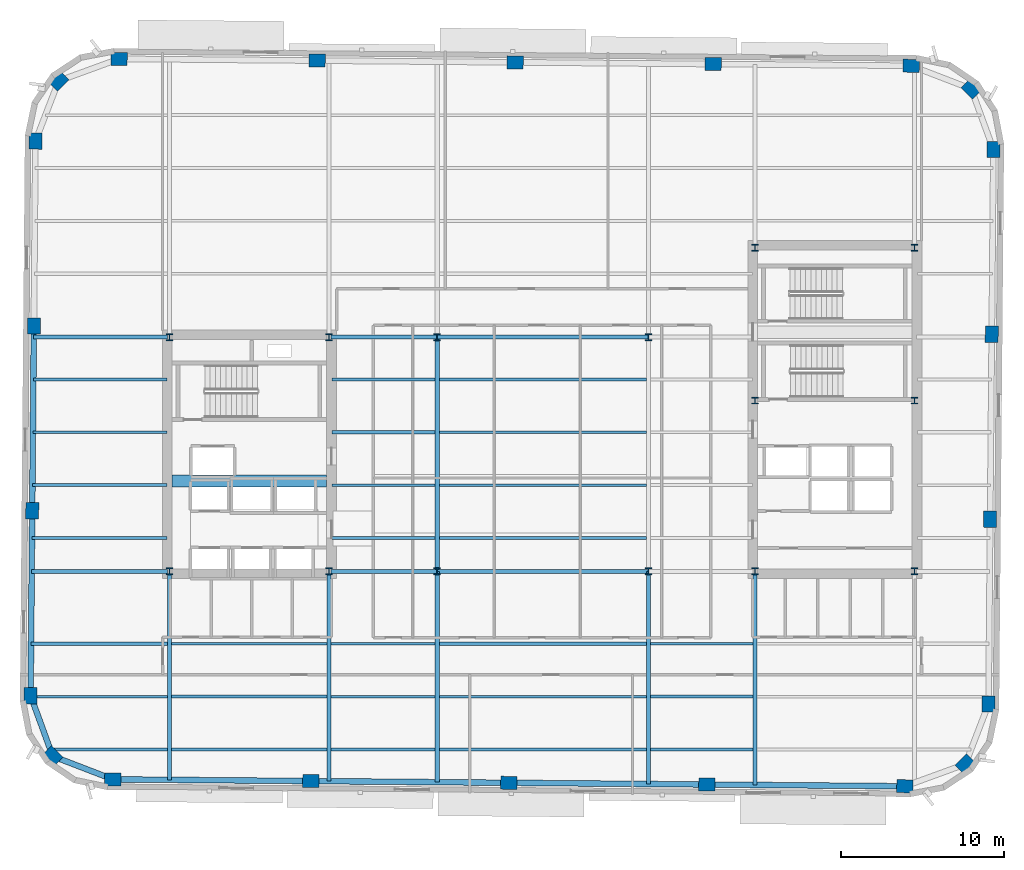
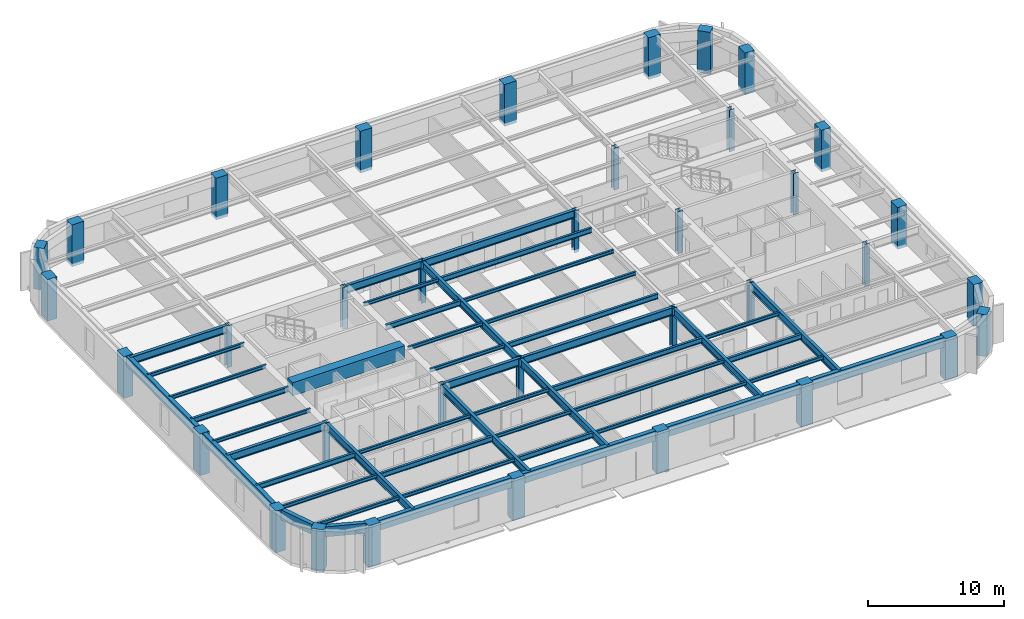
# One storey, part 1 of 12: 48 beams, 36 columns.
"""IFC4 building model written with IfcOpenShell, lengths in metres."""

import ifcopenshell
import ifcopenshell.guid

model = None  # the IFC model being written
_history = None  # IfcOwnerHistory: only IFC2X3 demands one
_inside = {}  # id of a spatial element -> (the spatial element, [elements in it])
_under = {}  # id of a project, library or spatial element -> (it, [spatial elements below it])
_declared = {}  # id of a project -> (the project, [libraries it declares])
_typed = {}  # id of a type object -> (the type object, [elements of that type])
_made_of = {}  # id of a material, layer set ... -> (it, [elements and type objects made of it])


def new_model(schema):
    """Start an empty IFC model of exactly this schema.

    Asked for "IFC4X3", IfcOpenShell would pick the latest addendum, in which some entities
    have other attributes; the version numbers below select the first issue.
    IFC2X3 requires an IfcOwnerHistory on every rooted entity: one is made here for all.
    """
    global model, _history
    if schema == "IFC4X3":
        model = ifcopenshell.file(schema_version=(4, 3, 0, 0))
    else:
        model = ifcopenshell.file(schema=schema)
    _inside.clear()
    _under.clear()
    _declared.clear()
    _typed.clear()
    _made_of.clear()
    _history = None
    if model.schema == "IFC2X3":
        org = make("IfcOrganization", Name="unknown")
        user = make(
            "IfcPersonAndOrganization",
            ThePerson=make("IfcPerson", FamilyName="unknown"),
            TheOrganization=org,
        )
        app = make(
            "IfcApplication",
            ApplicationDeveloper=org,
            Version="unknown",
            ApplicationFullName="unknown",
            ApplicationIdentifier="unknown",
        )
        _history = make(
            "IfcOwnerHistory",
            OwningUser=user,
            OwningApplication=app,
            ChangeAction="ADDED",
            CreationDate=0,
        )
    return model


def make(cls, **values):
    """One entity of the class cls with the attributes given. An attribute that is None is left unset."""
    return model.create_entity(
        cls, **{name: value for name, value in values.items() if value is not None}
    )


def rooted(cls, **values):
    """An entity with a GlobalId (a new one), such as an element, a storey or a relation."""
    return make(cls, GlobalId=ifcopenshell.guid.new(), OwnerHistory=_history, **values)


def si_unit(unit_type, name, prefix=None):
    """IfcSIUnit, for example si_unit("LENGTHUNIT", "METRE", prefix="MILLI")."""
    return make("IfcSIUnit", UnitType=unit_type, Prefix=prefix, Name=name)


def assignment(units):
    """IfcUnitAssignment: the units of a project."""
    return None if units is None else make("IfcUnitAssignment", Units=units)


def point(xyz):
    """IfcCartesianPoint."""
    return None if xyz is None else make("IfcCartesianPoint", Coordinates=xyz)


def direction(xyz):
    """IfcDirection."""
    return None if xyz is None else make("IfcDirection", DirectionRatios=xyz)


def frame(location, z_axis=None, x_axis=None):
    """IfcAxis2Placement3D, a coordinate frame: its origin and axes. An axis left out is left unset."""
    return make(
        "IfcAxis2Placement3D",
        Location=point(location),
        Axis=direction(z_axis),
        RefDirection=direction(x_axis),
    )


def frame_2d(location, x_axis=None):
    """IfcAxis2Placement2D, a coordinate frame in the plane: its origin and x axis."""
    return make(
        "IfcAxis2Placement2D", Location=point(location), RefDirection=direction(x_axis)
    )


def origin():
    """The frame at (0, 0, 0) with its axes left unset."""
    return frame((0.0, 0.0, 0.0))


def origin_2d():
    """The frame at (0, 0) in the plane with its x axis left unset."""
    return frame_2d((0.0, 0.0))


def place(relative_to, where):
    """IfcLocalPlacement: puts the frame where relative to a parent placement (None: the world)."""
    return make(
        "IfcLocalPlacement", PlacementRelTo=relative_to, RelativePlacement=where
    )


def context(
    kind, dimensions, precision=None, world=None, true_north=None, identifier=None
):
    """IfcGeometricRepresentationContext, for example the 3D "Model" context."""
    return make(
        "IfcGeometricRepresentationContext",
        ContextIdentifier=identifier,
        ContextType=kind,
        CoordinateSpaceDimension=dimensions,
        Precision=precision,
        WorldCoordinateSystem=world,
        TrueNorth=true_north,
    )


def subcontext(parent, identifier, kind, view, scale=None):
    """IfcGeometricRepresentationSubContext, for example "Body" below "Model"."""
    return make(
        "IfcGeometricRepresentationSubContext",
        ContextIdentifier=identifier,
        ContextType=kind,
        ParentContext=parent,
        TargetScale=scale,
        TargetView=view,
    )


def project(units=None, contexts=None):
    """IfcProject with its units and contexts."""
    return rooted(
        "IfcProject",
        Name="project",
        RepresentationContexts=contexts,
        UnitsInContext=assignment(units),
    )


def spatial(cls, under=None, at=None, **own):
    """A site, building, storey or space (cls), placed at a placement, below another one or the project."""
    s = rooted(cls, ObjectPlacement=at, **own)
    if under is not None:
        _under.setdefault(under.id(), (under, []))[1].append(s)
    return s


def profile(cls, at=None, kind="AREA", **sizes):
    """A parametric profile (cls). Its sizes go by their IFC names, for example OverallWidth=200.0."""
    return make(cls, ProfileType=kind, Position=at, **sizes)


def rectangle(**sizes):
    """IfcRectangleProfileDef."""
    return profile("IfcRectangleProfileDef", **sizes)


def hollow_rectangle(**sizes):
    """IfcRectangleHollowProfileDef."""
    return profile("IfcRectangleHollowProfileDef", **sizes)


def i_section(**sizes):
    """IfcIShapeProfileDef."""
    return profile("IfcIShapeProfileDef", **sizes)


def extrude(swept, where, along, depth):
    """IfcExtrudedAreaSolid: the profile swept, set in the frame where, extruded along a direction by depth."""
    return make(
        "IfcExtrudedAreaSolid",
        SweptArea=swept,
        Position=where,
        ExtrudedDirection=direction(along),
        Depth=depth,
    )


def shape(context_of_items, identifier, shape_type, items):
    """IfcShapeRepresentation: the items that make up one representation, for example the "Body"."""
    return make(
        "IfcShapeRepresentation",
        ContextOfItems=context_of_items,
        RepresentationIdentifier=identifier,
        RepresentationType=shape_type,
        Items=items,
    )


def material(Name=None, Category=None):
    """IfcMaterial."""
    return make("IfcMaterial", Name=Name, Category=Category)


def material_profile(
    of_material, cross_section, Name=None, Category=None, Priority=None
):
    """IfcMaterialProfile: a cross section and its material."""
    return make(
        "IfcMaterialProfile",
        Name=Name,
        Material=of_material,
        Profile=cross_section,
        Priority=Priority,
        Category=Category,
    )


def profile_set(profiles, Name=None, composite=None):
    """IfcMaterialProfileSet."""
    return make(
        "IfcMaterialProfileSet",
        Name=Name,
        MaterialProfiles=profiles,
        CompositeProfile=composite,
    )


def made_of(thing, what):
    """Note that an element or type object is made of a material, layer set ...; save() writes the relation."""
    if what is not None:
        _made_of.setdefault(what.id(), (what, []))[1].append(thing)
    return thing


def type_object(cls, material=None, **own):
    """A type object (cls), such as IfcWallType, which elements share."""
    return made_of(rooted(cls, **own), material)


def element(
    cls,
    number,
    at=None,
    inside=None,
    cuts=None,
    type_object=None,
    material=None,
    context=None,
    identifier="Body",
    shape_type=None,
    held_by="IfcProductDefinitionShape",
    body=None,
    shapes=None,
    **own,
):
    """One element of the class cls, such as IfcWall. Its Tag is "e" and its number.

    at: its placement. inside: the storey or other place that contains it. cuts: it is an
    opening in that element (IfcRelVoidsElement). A single representation is given by context,
    identifier, shape_type and body (its items); several are given by shapes. held_by: the class
    of the entity that holds the representations. save() writes the other relations.
    """
    e = rooted(cls, Tag="e%d" % number, ObjectPlacement=at, **own)
    if body is not None:
        shapes = [shape(context, identifier, shape_type, body)]
    if shapes is not None:
        e.Representation = make(held_by, Representations=shapes)
    if inside is not None:
        _inside.setdefault(inside.id(), (inside, []))[1].append(e)
    if cuts is not None:
        rooted(
            "IfcRelVoidsElement", RelatingBuildingElement=cuts, RelatedOpeningElement=e
        )
    if type_object is not None:
        _typed.setdefault(type_object.id(), (type_object, []))[1].append(e)
    return made_of(e, material)


def aggregate(whole, parts):
    """IfcRelAggregates: a whole, such as a stair, and the parts it consists of."""
    return rooted("IfcRelAggregates", RelatingObject=whole, RelatedObjects=parts)


def save(model, path):
    """Write the relations noted so far, then the file.

    IfcRelAggregates (storeys below a building ...), IfcRelContainedInSpatialStructure (elements
    in a storey), IfcRelDefinesByType, IfcRelAssociatesMaterial and IfcRelDeclares: one each for
    every whole, place, type object, material and project.
    """
    for whole, parts in _under.values():
        aggregate(whole, parts)
    for where, things in _inside.values():
        rooted(
            "IfcRelContainedInSpatialStructure",
            RelatedElements=things,
            RelatingStructure=where,
        )
    for kind, things in _typed.values():
        rooted("IfcRelDefinesByType", RelatedObjects=things, RelatingType=kind)
    for what, things in _made_of.values():
        rooted("IfcRelAssociatesMaterial", RelatedObjects=things, RelatingMaterial=what)
    for by, libraries in _declared.values():
        rooted("IfcRelDeclares", RelatingContext=by, RelatedDefinitions=libraries)
    model.write(path)


model = new_model("IFC4")

# Units and contexts
model_context = context("Model", 3, precision=1e-05, world=origin(), true_north=direction((0.0, 1.0)))
body_context = subcontext(model_context, "Body", "Model", "MODEL_VIEW")
ifc_project = project(units=[si_unit("LENGTHUNIT", "METRE"), si_unit("AREAUNIT", "SQUARE_METRE"), si_unit("VOLUMEUNIT", "CUBIC_METRE"), si_unit("PLANEANGLEUNIT", "RADIAN"), si_unit("MASSUNIT", "GRAM", prefix="KILO")], contexts=[model_context])

# Site, building, storey
site_placement = place(None, origin())
site = spatial("IfcSite", under=ifc_project, at=site_placement, CompositionType="ELEMENT")
building_placement = place(site_placement, origin())
building = spatial("IfcBuilding", under=site, at=building_placement, Name="Kolvaren Arena Tower", CompositionType="ELEMENT")
storey_placement = place(building_placement, frame((0.0, 0.0, 165.949951171875)))
storey = spatial("IfcBuildingStorey", under=building, at=storey_placement, Name="L39", CompositionType="ELEMENT", Elevation=165.949951171875)

# Columns
ifc_material_1 = material(Name="Precast concrete C60/75", Category="concrete")
ifc_material_profile_1 = material_profile(ifc_material_1, rectangle(XDim=1.0, YDim=0.800048828125, at=origin_2d()), Name="RC-1000x800")
ifc_profile_set_1 = profile_set([ifc_material_profile_1], Name="Precast concrete C60/75")
column_type_1 = type_object("IfcColumnType", Name="EXCOL-Z3", PredefinedType="COLUMN", material=ifc_profile_set_1)
for number, where, z_axis, x_axis, name in (
    (1, (11.0576171875, 6.663330078125, -0.27001953125), (0.0, 0.0, 1.0), (0.999961923064, -0.008726535498, 0.0), "Exoskeleton Perimeter Column 01 (L39)"),
    (2, (23.232177734375, 6.55712890625, -0.27001953125), (0.0, 0.0, 1.0), (0.999961923064, -0.008726535498, 0.0), "Exoskeleton Perimeter Column 02 (L39)"),
    (3, (35.40673828125, 6.45068359375, -0.27001953125), (0.0, 0.0, 1.0), (0.999961923064, -0.008726535498, 0.0), "Exoskeleton Perimeter Column 03 (L39)"),
    (4, (47.581298828125, 6.344482421875, -0.27001953125), (0.0, 0.0, 1.0), (0.999961923064, -0.008726535498, 0.0), "Exoskeleton Perimeter Column 04 (L39)"),
    (5, (59.755859375, 6.23828125, -0.27001953125), (0.0, 0.0, 1.0), (0.999961923064, -0.008726535498, 0.0), "Exoskeleton Perimeter Column 05 (L39)"),
    (6, (63.4765625, 7.59716796875, -0.27001953125), (0.0, 0.0, 1.0), (0.713250449154, 0.7009092643, 0.0), "Exoskeleton Perimeter Column 06 (L39)"),
    (7, (64.900146484375, 11.293701171875, -0.27001953125), (0.0, 0.0, 1.0), (0.008726535498, 0.999961923064, 0.0), "Exoskeleton Perimeter Column 07 (L39)"),
    (8, (64.999267578125, 22.659912109375, -0.27001953125), (0.0, 0.0, 1.0), (0.008726535498, 0.999961923064, 0.0), "Exoskeleton Perimeter Column 08 (L39)"),
    (9, (65.098388671875, 34.026123046875, -0.27001953125), (0.0, 0.0, 1.0), (0.008726535498, 0.999961923064, 0.0), "Exoskeleton Perimeter Column 09 (L39)"),
    (10, (65.19775390625, 45.392333984375, -0.27001953125), (0.0, 0.0, 1.0), (0.008726535498, 0.999961923064, 0.0), "Exoskeleton Perimeter Column 10 (L39)"),
    (11, (63.8388671875, 49.113037109375, -0.27001953125), (0.0, 0.0, 1.0), (-0.7009092643, 0.713250449154, 0.0), "Exoskeleton Perimeter Column 11 (L39)"),
    (12, (60.142333984375, 50.53662109375, -0.27001953125), (0.0, 0.0, 1.0), (0.999961923064, -0.008726535498, 0.0), "Exoskeleton Perimeter Column 12 (L39)"),
    (13, (47.9677734375, 50.642822265625, -0.27001953125), (0.0, 0.0, 1.0), (0.999961923064, -0.008726535498, 0.0), "Exoskeleton Perimeter Column 13 (L39)"),
    (14, (35.793212890625, 50.749267578125, -0.27001953125), (0.0, 0.0, 1.0), (0.999961923064, -0.008726535498, 0.0), "Exoskeleton Perimeter Column 14 (L39)"),
    (15, (23.618896484375, 50.85546875, -0.27001953125), (0.0, 0.0, 1.0), (0.999961923064, -0.008726535498, 0.0), "Exoskeleton Perimeter Column 15 (L39)"),
    (16, (11.444091796875, 50.961669921875, -0.27001953125), (0.0, 0.0, 1.0), (0.999961923064, -0.008726535498, 0.0), "Exoskeleton Perimeter Column 16 (L39)"),
    (17, (7.723388671875, 49.602783203125, -0.27001953125), (0.0, 0.0, 1.0), (0.713250449154, 0.7009092643, 0.0), "Exoskeleton Perimeter Column 17 (L39)"),
    (18, (6.2998046875, 45.90625, -0.27001953125), (0.0, 0.0, 1.0), (0.008726535498, 0.999961923064, 0.0), "Exoskeleton Perimeter Column 18 (L39)"),
    (19, (6.20068359375, 34.5400390625, -0.27001953125), (0.0, 0.0, 1.0), (0.008726535498, 0.999961923064, 0.0), "Exoskeleton Perimeter Column 19 (L39)"),
    (20, (6.1015625, 23.173828125, -0.27001953125), (0.0, 0.0, 1.0), (0.008726535498, 0.999961923064, 0.0), "Exoskeleton Perimeter Column 20 (L39)"),
    (21, (6.002197265625, 11.8076171875, -0.27001953125), (0.0, 0.0, 1.0), (0.008726535498, 0.999961923064, 0.0), "Exoskeleton Perimeter Column 21 (L39)"),
    (22, (7.361083984375, 8.0869140625, -0.27001953125), (0.0, 0.0, 1.0), (-0.7009092643, 0.713250449154, 0.0), "Exoskeleton Perimeter Column 22 (L39)"),
):
    element("IfcColumn", number, at=place(storey_placement, frame(where, z_axis=z_axis, x_axis=x_axis)), inside=storey, type_object=column_type_1, Name=name, PredefinedType="COLUMN", context=body_context, shape_type="SweptSolid", body=[
        extrude(rectangle(XDim=1.0, YDim=0.800048828125, at=origin_2d()), origin(), (0.0, 0.0, 1.0), 3.75),
    ])
ifc_material_2 = material(Name="Steel ASTM A913 Grade 65", Category="steel")
ifc_material_profile_2 = material_profile(ifc_material_2, i_section(OverallWidth=0.406005859375, OverallDepth=0.416015625, WebThickness=0.02978515625, FlangeThickness=0.048095703125, FilletRadius=0.02001953125, at=origin_2d()), Name="W360x382")
ifc_profile_set_2 = profile_set([ifc_material_profile_2], Name="Steel ASTM A913 Grade 65")
column_type_2 = type_object("IfcColumnType", Name="SCOL-Z3", PredefinedType="COLUMN", material=ifc_profile_set_2)
for number, where, z_axis, x_axis, name in (
    (23, (14.550048828125, 19.449951171875, -0.27001953125), (0.0, 0.0, 1.0), (1.0, 0.0, 0.0), "Core Boundary Column WC-SW (L39)"),
    (24, (24.35009765625, 19.449951171875, -0.27001953125), (0.0, 0.0, 1.0), (1.0, 0.0, 0.0), "Core Boundary Column WC-SE (L39)"),
    (25, (14.550048828125, 33.85009765625, -0.27001953125), (0.0, 0.0, 1.0), (1.0, 0.0, 0.0), "Core Boundary Column WC-NW (L39)"),
    (26, (24.35009765625, 33.85009765625, -0.27001953125), (0.0, 0.0, 1.0), (1.0, 0.0, 0.0), "Core Boundary Column WC-NE (L39)"),
    (27, (50.550048828125, 19.449951171875, -0.27001953125), (0.0, 0.0, 1.0), (1.0, 0.0, 0.0), "Core Boundary Column EC-SW (L39)"),
    (28, (60.35009765625, 19.449951171875, -0.27001953125), (0.0, 0.0, 1.0), (1.0, 0.0, 0.0), "Core Boundary Column EC-SE (L39)"),
    (29, (50.550048828125, 29.949951171875, -0.27001953125), (0.0, 0.0, 1.0), (1.0, 0.0, 0.0), "Core Boundary Column EC-MW (L39)"),
    (30, (60.35009765625, 29.949951171875, -0.27001953125), (0.0, 0.0, 1.0), (1.0, 0.0, 0.0), "Core Boundary Column EC-ME (L39)"),
    (31, (50.550048828125, 39.35009765625, -0.27001953125), (0.0, 0.0, 1.0), (1.0, 0.0, 0.0), "Core Boundary Column EC-NW (L39)"),
    (32, (60.35009765625, 39.35009765625, -0.27001953125), (0.0, 0.0, 1.0), (1.0, 0.0, 0.0), "Core Boundary Column EC-NE (L39)"),
    (33, (31.0, 19.449951171875, -0.27001953125), (0.0, 0.0, 1.0), (1.0, 0.0, 0.0), "Interior Gravity Column TC-SW (L39)"),
    (34, (44.0, 19.449951171875, -0.27001953125), (0.0, 0.0, 1.0), (1.0, 0.0, 0.0), "Interior Gravity Column TC-SE (L39)"),
    (35, (31.0, 33.85009765625, -0.27001953125), (0.0, 0.0, 1.0), (1.0, 0.0, 0.0), "Interior Gravity Column TC-NW (L39)"),
    (36, (44.0, 33.85009765625, -0.27001953125), (0.0, 0.0, 1.0), (1.0, 0.0, 0.0), "Interior Gravity Column TC-NE (L39)"),
):
    element("IfcColumn", number, at=place(storey_placement, frame(where, z_axis=z_axis, x_axis=x_axis)), inside=storey, type_object=column_type_2, Name=name, PredefinedType="COLUMN", context=body_context, shape_type="SweptSolid", body=[
        extrude(i_section(OverallWidth=0.406005859375, OverallDepth=0.416015625, WebThickness=0.02978515625, FlangeThickness=0.048095703125, FilletRadius=0.02001953125, at=origin_2d()), origin(), (0.0, 0.0, 1.0), 3.75),
    ])

# Beams
ifc_material_3 = material(Name="Steel CSA G40.21 350W", Category="steel")
ifc_material_profile_3 = material_profile(ifc_material_3, i_section(OverallWidth=0.193115234375, OverallDepth=0.462890625, WebThickness=0.0107421875, FlangeThickness=0.0205078125, FilletRadius=0.012939453125, at=origin_2d()), Name="W460x113")
ifc_profile_set_3 = profile_set([ifc_material_profile_3], Name="Steel CSA G40.21 350W")
beam_type_1 = type_object("IfcBeamType", Name="BEAM-F2", PredefinedType="BEAM", material=ifc_profile_set_3)
beam_1_placement = place(storey_placement, frame((24.4775390625, 8.5, 3.24853515625), z_axis=(1.0, 0.0, 0.0), x_axis=(0.0, 1.0, 0.0)))
element("IfcBeam", 37, at=beam_1_placement, inside=storey, type_object=beam_type_1, Name="Composite Floor Beam (L39)", PredefinedType="BEAM", context=body_context, shape_type="SweptSolid", body=[
    extrude(i_section(OverallWidth=0.193115234375, OverallDepth=0.462890625, WebThickness=0.0107421875, FlangeThickness=0.0205078125, FilletRadius=0.012939453125, at=origin_2d()), origin(), (0.0, 0.0, 1.0), 6.39501953125),
])
beam_2_placement = place(storey_placement, frame((14.677490234375, 11.75, 3.24853515625), z_axis=(1.0, 0.0, 0.0), x_axis=(0.0, 1.0, 0.0)))
element("IfcBeam", 38, at=beam_2_placement, inside=storey, type_object=beam_type_1, Name="Composite Floor Beam (L39)", PredefinedType="BEAM", context=body_context, shape_type="SweptSolid", body=[
    extrude(i_section(OverallWidth=0.193115234375, OverallDepth=0.462890625, WebThickness=0.0107421875, FlangeThickness=0.0205078125, FilletRadius=0.012939453125, at=origin_2d()), origin(), (0.0, 0.0, 1.0), 9.544921875),
])
beam_3_placement = place(storey_placement, frame((44.12744140625, 11.75, 3.24853515625), z_axis=(1.0, 0.0, 0.0), x_axis=(0.0, 1.0, 0.0)))
element("IfcBeam", 39, at=beam_3_placement, inside=storey, type_object=beam_type_1, Name="Composite Floor Beam (L39)", PredefinedType="BEAM", context=body_context, shape_type="SweptSolid", body=[
    extrude(i_section(OverallWidth=0.193115234375, OverallDepth=0.462890625, WebThickness=0.0107421875, FlangeThickness=0.0205078125, FilletRadius=0.012939453125, at=origin_2d()), origin(), (0.0, 0.0, 1.0), 6.295166015625),
])
beam_4_placement = place(storey_placement, frame((6.0302734375, 15.0, 3.24853515625), z_axis=(1.0, 0.0, 0.0), x_axis=(0.0, 1.0, 0.0)))
element("IfcBeam", 40, at=beam_4_placement, inside=storey, type_object=beam_type_1, Name="Composite Floor Beam (L39)", PredefinedType="BEAM", context=body_context, shape_type="SweptSolid", body=[
    extrude(i_section(OverallWidth=0.193115234375, OverallDepth=0.462890625, WebThickness=0.0107421875, FlangeThickness=0.0205078125, FilletRadius=0.012939453125, at=origin_2d()), origin(), (0.0, 0.0, 1.0), 8.392333984375),
])
for number, where, z_axis, x_axis, name in (
    (41, (31.12744140625, 15.0, 3.24853515625), (1.0, 0.0, 0.0), (0.0, 1.0, 0.0), "Composite Floor Beam (L39)"),
    (42, (31.12744140625, 21.5, 3.24853515625), (1.0, 0.0, 0.0), (0.0, 1.0, 0.0), "Composite Floor Beam (L39)"),
):
    element("IfcBeam", number, at=place(storey_placement, frame(where, z_axis=z_axis, x_axis=x_axis)), inside=storey, type_object=beam_type_1, Name=name, PredefinedType="BEAM", context=body_context, shape_type="SweptSolid", body=[
        extrude(i_section(OverallWidth=0.193115234375, OverallDepth=0.462890625, WebThickness=0.0107421875, FlangeThickness=0.0205078125, FilletRadius=0.012939453125, at=origin_2d()), origin(), (0.0, 0.0, 1.0), 12.7451171875),
    ])
beam_5_placement = place(storey_placement, frame((6.115234375, 24.75, 3.24853515625), z_axis=(1.0, 0.0, 0.0), x_axis=(0.0, 1.0, 0.0)))
element("IfcBeam", 43, at=beam_5_placement, inside=storey, type_object=beam_type_1, Name="Composite Floor Beam (L39)", PredefinedType="BEAM", context=body_context, shape_type="SweptSolid", body=[
    extrude(i_section(OverallWidth=0.193115234375, OverallDepth=0.462890625, WebThickness=0.0107421875, FlangeThickness=0.0205078125, FilletRadius=0.012939453125, at=origin_2d()), origin(), (0.0, 0.0, 1.0), 8.2646484375),
])
beam_6_placement = place(storey_placement, frame((24.52001953125, 28.0, 3.24853515625), z_axis=(1.0, 0.0, 0.0), x_axis=(0.0, 1.0, 0.0)))
element("IfcBeam", 44, at=beam_6_placement, inside=storey, type_object=beam_type_1, Name="Composite Floor Beam (L39)", PredefinedType="BEAM", context=body_context, shape_type="SweptSolid", body=[
    extrude(i_section(OverallWidth=0.193115234375, OverallDepth=0.462890625, WebThickness=0.0107421875, FlangeThickness=0.0205078125, FilletRadius=0.012939453125, at=origin_2d()), origin(), (0.0, 0.0, 1.0), 6.3525390625),
])
beam_7_placement = place(storey_placement, frame((31.12744140625, 31.25, 3.24853515625), z_axis=(1.0, 0.0, 0.0), x_axis=(0.0, 1.0, 0.0)))
element("IfcBeam", 45, at=beam_7_placement, inside=storey, type_object=beam_type_1, Name="Composite Floor Beam (L39)", PredefinedType="BEAM", context=body_context, shape_type="SweptSolid", body=[
    extrude(i_section(OverallWidth=0.193115234375, OverallDepth=0.462890625, WebThickness=0.0107421875, FlangeThickness=0.0205078125, FilletRadius=0.012939453125, at=origin_2d()), origin(), (0.0, 0.0, 1.0), 12.7451171875),
])
ifc_material_4 = material(Name="Concrete 60 MPa", Category="concrete")
ifc_material_profile_4 = material_profile(ifc_material_4, rectangle(XDim=0.75, YDim=1.199951171875, at=origin_2d()), Name="RC-750x1200")
ifc_profile_set_4 = profile_set([ifc_material_profile_4], Name="Concrete 60 MPa")
beam_type_2 = type_object("IfcBeamType", Name="CB-CORE-2", PredefinedType="BEAM", material=ifc_profile_set_4)
beam_8_placement = place(storey_placement, frame((14.699951171875, 25.0, 3.150146484375), z_axis=(1.0, 0.0, 0.0), x_axis=(0.0, 1.0, 0.0)))
element("IfcBeam", 46, at=beam_8_placement, inside=storey, type_object=beam_type_2, Name="West Core Coupling Beam (L39)", PredefinedType="BEAM", context=body_context, shape_type="SweptSolid", body=[
    extrude(rectangle(XDim=0.75, YDim=1.199951171875, at=origin_2d()), origin(), (0.0, 0.0, 1.0), 9.5),
])
ifc_material_profile_5 = material_profile(ifc_material_3, i_section(OverallWidth=0.2548828125, OverallDepth=0.695068359375, WebThickness=0.01708984375, FlangeThickness=0.02978515625, FilletRadius=0.01611328125, at=origin_2d()), Name="W690x217")
ifc_profile_set_5 = profile_set([ifc_material_profile_5], Name="Steel CSA G40.21 350W")
beam_type_3 = type_object("IfcBeamType", Name="GIRD-T2", PredefinedType="BEAM", material=ifc_profile_set_5)
beam_9_placement = place(storey_placement, frame((6.069091796875, 19.449951171875, 3.132568359375), z_axis=(1.0, 0.0, 0.0), x_axis=(0.0, 1.0, 0.0)))
element("IfcBeam", 47, at=beam_9_placement, inside=storey, type_object=beam_type_3, Name="Primary Floor Girder (L39)", PredefinedType="BEAM", context=body_context, shape_type="SweptSolid", body=[
    extrude(i_section(OverallWidth=0.2548828125, OverallDepth=0.695068359375, WebThickness=0.01708984375, FlangeThickness=0.02978515625, FilletRadius=0.01611328125, at=origin_2d()), origin(), (0.0, 0.0, 1.0), 8.350830078125),
])
beam_10_placement = place(storey_placement, frame((24.47998046875, 19.449951171875, 3.132568359375), z_axis=(1.0, 0.0, 0.0), x_axis=(0.0, 1.0, 0.0)))
element("IfcBeam", 48, at=beam_10_placement, inside=storey, type_object=beam_type_3, Name="Primary Floor Girder (L39)", PredefinedType="BEAM", context=body_context, shape_type="SweptSolid", body=[
    extrude(i_section(OverallWidth=0.2548828125, OverallDepth=0.695068359375, WebThickness=0.01708984375, FlangeThickness=0.02978515625, FilletRadius=0.01611328125, at=origin_2d()), origin(), (0.0, 0.0, 1.0), 6.52001953125),
])
beam_11_placement = place(storey_placement, frame((31.0, 19.449951171875, 3.132568359375), z_axis=(1.0, 0.0, 0.0), x_axis=(0.0, 1.0, 0.0)))
element("IfcBeam", 49, at=beam_11_placement, inside=storey, type_object=beam_type_3, Name="Primary Floor Girder (L39)", PredefinedType="BEAM", context=body_context, shape_type="SweptSolid", body=[
    extrude(i_section(OverallWidth=0.2548828125, OverallDepth=0.695068359375, WebThickness=0.01708984375, FlangeThickness=0.02978515625, FilletRadius=0.01611328125, at=origin_2d()), origin(), (0.0, 0.0, 1.0), 13.0),
])
beam_12_placement = place(storey_placement, frame((6.194580078125, 33.85009765625, 3.132568359375), z_axis=(1.0, 0.0, 0.0), x_axis=(0.0, 1.0, 0.0)))
element("IfcBeam", 50, at=beam_12_placement, inside=storey, type_object=beam_type_3, Name="Primary Floor Girder (L39)", PredefinedType="BEAM", context=body_context, shape_type="SweptSolid", body=[
    extrude(i_section(OverallWidth=0.2548828125, OverallDepth=0.695068359375, WebThickness=0.01708984375, FlangeThickness=0.02978515625, FilletRadius=0.01611328125, at=origin_2d()), origin(), (0.0, 0.0, 1.0), 8.225341796875),
])
beam_13_placement = place(storey_placement, frame((24.47998046875, 33.85009765625, 3.132568359375), z_axis=(1.0, 0.0, 0.0), x_axis=(0.0, 1.0, 0.0)))
element("IfcBeam", 51, at=beam_13_placement, inside=storey, type_object=beam_type_3, Name="Primary Floor Girder (L39)", PredefinedType="BEAM", context=body_context, shape_type="SweptSolid", body=[
    extrude(i_section(OverallWidth=0.2548828125, OverallDepth=0.695068359375, WebThickness=0.01708984375, FlangeThickness=0.02978515625, FilletRadius=0.01611328125, at=origin_2d()), origin(), (0.0, 0.0, 1.0), 6.52001953125),
])
beam_14_placement = place(storey_placement, frame((31.0, 33.85009765625, 3.132568359375), z_axis=(1.0, 0.0, 0.0), x_axis=(0.0, 1.0, 0.0)))
element("IfcBeam", 52, at=beam_14_placement, inside=storey, type_object=beam_type_3, Name="Primary Floor Girder (L39)", PredefinedType="BEAM", context=body_context, shape_type="SweptSolid", body=[
    extrude(i_section(OverallWidth=0.2548828125, OverallDepth=0.695068359375, WebThickness=0.01708984375, FlangeThickness=0.02978515625, FilletRadius=0.01611328125, at=origin_2d()), origin(), (0.0, 0.0, 1.0), 13.0),
])
beam_15_placement = place(storey_placement, frame((14.550048828125, 6.6328125, 3.132568359375), z_axis=(0.0, 1.0, 0.0), x_axis=(-1.0, 0.0, 0.0)))
element("IfcBeam", 53, at=beam_15_placement, inside=storey, type_object=beam_type_3, Name="Primary Floor Girder (L39)", PredefinedType="BEAM", context=body_context, shape_type="SweptSolid", body=[
    extrude(i_section(OverallWidth=0.2548828125, OverallDepth=0.695068359375, WebThickness=0.01708984375, FlangeThickness=0.02978515625, FilletRadius=0.01611328125, at=origin_2d()), origin(), (0.0, 0.0, 1.0), 12.687255859375),
])
beam_16_placement = place(storey_placement, frame((24.35009765625, 6.54736328125, 3.132568359375), z_axis=(0.0, 1.0, 0.0), x_axis=(-1.0, 0.0, 0.0)))
element("IfcBeam", 54, at=beam_16_placement, inside=storey, type_object=beam_type_3, Name="Primary Floor Girder (L39)", PredefinedType="BEAM", context=body_context, shape_type="SweptSolid", body=[
    extrude(i_section(OverallWidth=0.2548828125, OverallDepth=0.695068359375, WebThickness=0.01708984375, FlangeThickness=0.02978515625, FilletRadius=0.01611328125, at=origin_2d()), origin(), (0.0, 0.0, 1.0), 12.772705078125),
])
beam_17_placement = place(storey_placement, frame((31.0, 6.4892578125, 3.132568359375), z_axis=(0.0, 1.0, 0.0), x_axis=(-1.0, 0.0, 0.0)))
element("IfcBeam", 55, at=beam_17_placement, inside=storey, type_object=beam_type_3, Name="Primary Floor Girder (L39)", PredefinedType="BEAM", context=body_context, shape_type="SweptSolid", body=[
    extrude(i_section(OverallWidth=0.2548828125, OverallDepth=0.695068359375, WebThickness=0.01708984375, FlangeThickness=0.02978515625, FilletRadius=0.01611328125, at=origin_2d()), origin(), (0.0, 0.0, 1.0), 12.960693359375),
])
beam_18_placement = place(storey_placement, frame((31.0, 19.449951171875, 3.132568359375), z_axis=(0.0, 1.0, 0.0), x_axis=(-1.0, 0.0, 0.0)))
element("IfcBeam", 56, at=beam_18_placement, inside=storey, type_object=beam_type_3, Name="Primary Floor Girder (L39)", PredefinedType="BEAM", context=body_context, shape_type="SweptSolid", body=[
    extrude(i_section(OverallWidth=0.2548828125, OverallDepth=0.695068359375, WebThickness=0.01708984375, FlangeThickness=0.02978515625, FilletRadius=0.01611328125, at=origin_2d()), origin(), (0.0, 0.0, 1.0), 14.400146484375),
])
beam_19_placement = place(storey_placement, frame((44.0, 6.375732421875, 3.132568359375), z_axis=(0.0, 1.0, 0.0), x_axis=(-1.0, 0.0, 0.0)))
element("IfcBeam", 57, at=beam_19_placement, inside=storey, type_object=beam_type_3, Name="Primary Floor Girder (L39)", PredefinedType="BEAM", context=body_context, shape_type="SweptSolid", body=[
    extrude(i_section(OverallWidth=0.2548828125, OverallDepth=0.695068359375, WebThickness=0.01708984375, FlangeThickness=0.02978515625, FilletRadius=0.01611328125, at=origin_2d()), origin(), (0.0, 0.0, 1.0), 13.07421875),
])
beam_20_placement = place(storey_placement, frame((50.550048828125, 6.318603515625, 3.132568359375), z_axis=(0.0, 1.0, 0.0), x_axis=(-1.0, 0.0, 0.0)))
element("IfcBeam", 58, at=beam_20_placement, inside=storey, type_object=beam_type_3, Name="Primary Floor Girder (L39)", PredefinedType="BEAM", context=body_context, shape_type="SweptSolid", body=[
    extrude(i_section(OverallWidth=0.2548828125, OverallDepth=0.695068359375, WebThickness=0.01708984375, FlangeThickness=0.02978515625, FilletRadius=0.01611328125, at=origin_2d()), origin(), (0.0, 0.0, 1.0), 13.00146484375),
])
ifc_material_profile_6 = material_profile(ifc_material_3, i_section(OverallWidth=0.1669921875, OverallDepth=0.31689453125, WebThickness=0.007568359375, FlangeThickness=0.01318359375, FilletRadius=0.010009765625, at=origin_2d()), Name="W310x52")
ifc_profile_set_6 = profile_set([ifc_material_profile_6], Name="Steel CSA G40.21 350W")
beam_type_4 = type_object("IfcBeamType", Name="JOIST-02", PredefinedType="JOIST", material=ifc_profile_set_6)
beam_21_placement = place(storey_placement, frame((7.210205078125, 8.5, 3.321533203125), z_axis=(1.0, 0.0, 0.0), x_axis=(0.0, 1.0, 0.0)))
element("IfcBeam", 59, at=beam_21_placement, inside=storey, type_object=beam_type_4, Name="Composite Floor Joist (L39)", PredefinedType="JOIST", context=body_context, shape_type="SweptSolid", body=[
    extrude(i_section(OverallWidth=0.1669921875, OverallDepth=0.31689453125, WebThickness=0.007568359375, FlangeThickness=0.01318359375, FilletRadius=0.010009765625, at=origin_2d()), origin(), (0.0, 0.0, 1.0), 7.21240234375),
])
beam_22_placement = place(storey_placement, frame((14.677490234375, 8.5, 3.321533203125), z_axis=(1.0, 0.0, 0.0), x_axis=(0.0, 1.0, 0.0)))
element("IfcBeam", 60, at=beam_22_placement, inside=storey, type_object=beam_type_4, Name="Composite Floor Joist (L39)", PredefinedType="JOIST", context=body_context, shape_type="SweptSolid", body=[
    extrude(i_section(OverallWidth=0.1669921875, OverallDepth=0.31689453125, WebThickness=0.007568359375, FlangeThickness=0.01318359375, FilletRadius=0.010009765625, at=origin_2d()), origin(), (0.0, 0.0, 1.0), 9.544921875),
])
beam_23_placement = place(storey_placement, frame((31.12744140625, 8.5, 3.321533203125), z_axis=(1.0, 0.0, 0.0), x_axis=(0.0, 1.0, 0.0)))
element("IfcBeam", 61, at=beam_23_placement, inside=storey, type_object=beam_type_4, Name="Composite Floor Joist (L39)", PredefinedType="JOIST", context=body_context, shape_type="SweptSolid", body=[
    extrude(i_section(OverallWidth=0.1669921875, OverallDepth=0.31689453125, WebThickness=0.007568359375, FlangeThickness=0.01318359375, FilletRadius=0.010009765625, at=origin_2d()), origin(), (0.0, 0.0, 1.0), 12.7451171875),
])
beam_24_placement = place(storey_placement, frame((44.12744140625, 8.5, 3.321533203125), z_axis=(1.0, 0.0, 0.0), x_axis=(0.0, 1.0, 0.0)))
element("IfcBeam", 62, at=beam_24_placement, inside=storey, type_object=beam_type_4, Name="Composite Floor Joist (L39)", PredefinedType="JOIST", context=body_context, shape_type="SweptSolid", body=[
    extrude(i_section(OverallWidth=0.1669921875, OverallDepth=0.31689453125, WebThickness=0.007568359375, FlangeThickness=0.01318359375, FilletRadius=0.010009765625, at=origin_2d()), origin(), (0.0, 0.0, 1.0), 6.295166015625),
])
beam_25_placement = place(storey_placement, frame((6.023193359375, 11.75, 3.321533203125), z_axis=(1.0, 0.0, 0.0), x_axis=(0.0, 1.0, 0.0)))
element("IfcBeam", 63, at=beam_25_placement, inside=storey, type_object=beam_type_4, Name="Composite Floor Joist (L39)", PredefinedType="JOIST", context=body_context, shape_type="SweptSolid", body=[
    extrude(i_section(OverallWidth=0.1669921875, OverallDepth=0.31689453125, WebThickness=0.007568359375, FlangeThickness=0.01318359375, FilletRadius=0.010009765625, at=origin_2d()), origin(), (0.0, 0.0, 1.0), 8.3994140625),
])
beam_26_placement = place(storey_placement, frame((24.4775390625, 11.75, 3.321533203125), z_axis=(1.0, 0.0, 0.0), x_axis=(0.0, 1.0, 0.0)))
element("IfcBeam", 64, at=beam_26_placement, inside=storey, type_object=beam_type_4, Name="Composite Floor Joist (L39)", PredefinedType="JOIST", context=body_context, shape_type="SweptSolid", body=[
    extrude(i_section(OverallWidth=0.1669921875, OverallDepth=0.31689453125, WebThickness=0.007568359375, FlangeThickness=0.01318359375, FilletRadius=0.010009765625, at=origin_2d()), origin(), (0.0, 0.0, 1.0), 6.39501953125),
])
beam_27_placement = place(storey_placement, frame((31.12744140625, 11.75, 3.321533203125), z_axis=(1.0, 0.0, 0.0), x_axis=(0.0, 1.0, 0.0)))
element("IfcBeam", 65, at=beam_27_placement, inside=storey, type_object=beam_type_4, Name="Composite Floor Joist (L39)", PredefinedType="JOIST", context=body_context, shape_type="SweptSolid", body=[
    extrude(i_section(OverallWidth=0.1669921875, OverallDepth=0.31689453125, WebThickness=0.007568359375, FlangeThickness=0.01318359375, FilletRadius=0.010009765625, at=origin_2d()), origin(), (0.0, 0.0, 1.0), 12.7451171875),
])
beam_28_placement = place(storey_placement, frame((14.677490234375, 15.0, 3.321533203125), z_axis=(1.0, 0.0, 0.0), x_axis=(0.0, 1.0, 0.0)))
element("IfcBeam", 66, at=beam_28_placement, inside=storey, type_object=beam_type_4, Name="Composite Floor Joist (L39)", PredefinedType="JOIST", context=body_context, shape_type="SweptSolid", body=[
    extrude(i_section(OverallWidth=0.1669921875, OverallDepth=0.31689453125, WebThickness=0.007568359375, FlangeThickness=0.01318359375, FilletRadius=0.010009765625, at=origin_2d()), origin(), (0.0, 0.0, 1.0), 9.544921875),
])
beam_29_placement = place(storey_placement, frame((24.4775390625, 15.0, 3.321533203125), z_axis=(1.0, 0.0, 0.0), x_axis=(0.0, 1.0, 0.0)))
element("IfcBeam", 67, at=beam_29_placement, inside=storey, type_object=beam_type_4, Name="Composite Floor Joist (L39)", PredefinedType="JOIST", context=body_context, shape_type="SweptSolid", body=[
    extrude(i_section(OverallWidth=0.1669921875, OverallDepth=0.31689453125, WebThickness=0.007568359375, FlangeThickness=0.01318359375, FilletRadius=0.010009765625, at=origin_2d()), origin(), (0.0, 0.0, 1.0), 6.39501953125),
])
beam_30_placement = place(storey_placement, frame((44.12744140625, 15.0, 3.321533203125), z_axis=(1.0, 0.0, 0.0), x_axis=(0.0, 1.0, 0.0)))
element("IfcBeam", 68, at=beam_30_placement, inside=storey, type_object=beam_type_4, Name="Composite Floor Joist (L39)", PredefinedType="JOIST", context=body_context, shape_type="SweptSolid", body=[
    extrude(i_section(OverallWidth=0.1669921875, OverallDepth=0.31689453125, WebThickness=0.007568359375, FlangeThickness=0.01318359375, FilletRadius=0.010009765625, at=origin_2d()), origin(), (0.0, 0.0, 1.0), 6.295166015625),
])
beam_31_placement = place(storey_placement, frame((6.0869140625, 21.5, 3.321533203125), z_axis=(1.0, 0.0, 0.0), x_axis=(0.0, 1.0, 0.0)))
element("IfcBeam", 69, at=beam_31_placement, inside=storey, type_object=beam_type_4, Name="Composite Floor Joist (L39)", PredefinedType="JOIST", context=body_context, shape_type="SweptSolid", body=[
    extrude(i_section(OverallWidth=0.1669921875, OverallDepth=0.31689453125, WebThickness=0.007568359375, FlangeThickness=0.01318359375, FilletRadius=0.010009765625, at=origin_2d()), origin(), (0.0, 0.0, 1.0), 8.29296875),
])
for number, where, z_axis, x_axis, name in (
    (70, (24.52001953125, 21.5, 3.321533203125), (1.0, 0.0, 0.0), (0.0, 1.0, 0.0), "Composite Floor Joist (L39)"),
    (71, (24.52001953125, 24.75, 3.321533203125), (1.0, 0.0, 0.0), (0.0, 1.0, 0.0), "Composite Floor Joist (L39)"),
):
    element("IfcBeam", number, at=place(storey_placement, frame(where, z_axis=z_axis, x_axis=x_axis)), inside=storey, type_object=beam_type_4, Name=name, PredefinedType="JOIST", context=body_context, shape_type="SweptSolid", body=[
        extrude(i_section(OverallWidth=0.1669921875, OverallDepth=0.31689453125, WebThickness=0.007568359375, FlangeThickness=0.01318359375, FilletRadius=0.010009765625, at=origin_2d()), origin(), (0.0, 0.0, 1.0), 6.3525390625),
    ])
beam_32_placement = place(storey_placement, frame((31.12744140625, 24.75, 3.321533203125), z_axis=(1.0, 0.0, 0.0), x_axis=(0.0, 1.0, 0.0)))
element("IfcBeam", 72, at=beam_32_placement, inside=storey, type_object=beam_type_4, Name="Composite Floor Joist (L39)", PredefinedType="JOIST", context=body_context, shape_type="SweptSolid", body=[
    extrude(i_section(OverallWidth=0.1669921875, OverallDepth=0.31689453125, WebThickness=0.007568359375, FlangeThickness=0.01318359375, FilletRadius=0.010009765625, at=origin_2d()), origin(), (0.0, 0.0, 1.0), 12.7451171875),
])
beam_33_placement = place(storey_placement, frame((6.1435546875, 28.0, 3.321533203125), z_axis=(1.0, 0.0, 0.0), x_axis=(0.0, 1.0, 0.0)))
element("IfcBeam", 73, at=beam_33_placement, inside=storey, type_object=beam_type_4, Name="Composite Floor Joist (L39)", PredefinedType="JOIST", context=body_context, shape_type="SweptSolid", body=[
    extrude(i_section(OverallWidth=0.1669921875, OverallDepth=0.31689453125, WebThickness=0.007568359375, FlangeThickness=0.01318359375, FilletRadius=0.010009765625, at=origin_2d()), origin(), (0.0, 0.0, 1.0), 8.236328125),
])
beam_34_placement = place(storey_placement, frame((31.12744140625, 28.0, 3.321533203125), z_axis=(1.0, 0.0, 0.0), x_axis=(0.0, 1.0, 0.0)))
element("IfcBeam", 74, at=beam_34_placement, inside=storey, type_object=beam_type_4, Name="Composite Floor Joist (L39)", PredefinedType="JOIST", context=body_context, shape_type="SweptSolid", body=[
    extrude(i_section(OverallWidth=0.1669921875, OverallDepth=0.31689453125, WebThickness=0.007568359375, FlangeThickness=0.01318359375, FilletRadius=0.010009765625, at=origin_2d()), origin(), (0.0, 0.0, 1.0), 12.7451171875),
])
beam_35_placement = place(storey_placement, frame((6.172119140625, 31.25, 3.321533203125), z_axis=(1.0, 0.0, 0.0), x_axis=(0.0, 1.0, 0.0)))
element("IfcBeam", 75, at=beam_35_placement, inside=storey, type_object=beam_type_4, Name="Composite Floor Joist (L39)", PredefinedType="JOIST", context=body_context, shape_type="SweptSolid", body=[
    extrude(i_section(OverallWidth=0.1669921875, OverallDepth=0.31689453125, WebThickness=0.007568359375, FlangeThickness=0.01318359375, FilletRadius=0.010009765625, at=origin_2d()), origin(), (0.0, 0.0, 1.0), 8.207763671875),
])
beam_36_placement = place(storey_placement, frame((24.52001953125, 31.25, 3.321533203125), z_axis=(1.0, 0.0, 0.0), x_axis=(0.0, 1.0, 0.0)))
element("IfcBeam", 76, at=beam_36_placement, inside=storey, type_object=beam_type_4, Name="Composite Floor Joist (L39)", PredefinedType="JOIST", context=body_context, shape_type="SweptSolid", body=[
    extrude(i_section(OverallWidth=0.1669921875, OverallDepth=0.31689453125, WebThickness=0.007568359375, FlangeThickness=0.01318359375, FilletRadius=0.010009765625, at=origin_2d()), origin(), (0.0, 0.0, 1.0), 6.3525390625),
])
ifc_material_5 = material(Name="Steel CSA G40.21 350WT", Category="steel")
ifc_material_profile_7 = material_profile(ifc_material_5, hollow_rectangle(XDim=0.35009765625, YDim=0.89990234375, WallThickness=0.02001953125, at=origin_2d()), Name="HSS 900x350x20")
ifc_profile_set_7 = profile_set([ifc_material_profile_7], Name="Steel CSA G40.21 350WT")
beam_type_5 = type_object("IfcBeamType", Name="SPAND-01", PredefinedType="SPANDREL", material=ifc_profile_set_7)
for number, where, z_axis, x_axis, name in (
    (77, (11.0576171875, 6.663330078125, 3.030029296875), (0.99996195503, -0.008722871848, 0.0), (0.008722871848, 0.99996195503, 0.0), "Perimeter Spandrel Beam (L39)"),
    (78, (23.232177734375, 6.55712890625, 3.030029296875), (0.999961779919, -0.008742922896, 0.0), (0.008742922896, 0.999961779919, 0.0), "Perimeter Spandrel Beam (L39)"),
    (79, (35.40673828125, 6.45068359375, 3.030029296875), (0.99996195503, -0.008722871848, 0.0), (0.008722871848, 0.99996195503, 0.0), "Perimeter Spandrel Beam (L39)"),
    (80, (47.581298828125, 6.344482421875, 3.030029296875), (0.99996195503, -0.008722871848, 0.0), (0.008722871848, 0.99996195503, 0.0), "Perimeter Spandrel Beam (L39)"),
):
    element("IfcBeam", number, at=place(storey_placement, frame(where, z_axis=z_axis, x_axis=x_axis)), inside=storey, type_object=beam_type_5, Name=name, PredefinedType="SPANDREL", context=body_context, shape_type="SweptSolid", body=[
        extrude(hollow_rectangle(XDim=0.35009765625, YDim=0.89990234375, WallThickness=0.02001953125, at=origin_2d()), origin(), (0.0, 0.0, 1.0), 12.175048828125),
    ])
for number, where, z_axis, x_axis, name in (
    (81, (6.20068359375, 34.5400390625, 3.030029296875), (-0.008720348885, -0.999961977035, 0.0), (0.999961977035, -0.008720348885, 0.0), "Perimeter Spandrel Beam (L39)"),
    (82, (6.1015625, 23.173828125, 3.030029296875), (-0.008741825937, -0.99996178951, 0.0), (0.99996178951, -0.008741825937, 0.0), "Perimeter Spandrel Beam (L39)"),
):
    element("IfcBeam", number, at=place(storey_placement, frame(where, z_axis=z_axis, x_axis=x_axis)), inside=storey, type_object=beam_type_5, Name=name, PredefinedType="SPANDREL", context=body_context, shape_type="SweptSolid", body=[
        extrude(hollow_rectangle(XDim=0.35009765625, YDim=0.89990234375, WallThickness=0.02001953125, at=origin_2d()), origin(), (0.0, 0.0, 1.0), 11.36669921875),
    ])
for number, where, z_axis, x_axis, name in (
    (83, (6.002197265625, 11.8076171875, 3.030029296875), (0.343059102458, -0.939313819882, 0.0), (0.939313819882, 0.343059102458, 0.0), "Perimeter Spandrel Beam (L39)"),
    (84, (7.361083984375, 8.0869140625, 3.030029296875), (0.933189846698, -0.359383792094, 0.0), (0.359383792094, 0.933189846698, 0.0), "Perimeter Spandrel Beam (L39)"),
):
    element("IfcBeam", number, at=place(storey_placement, frame(where, z_axis=z_axis, x_axis=x_axis)), inside=storey, type_object=beam_type_5, Name=name, PredefinedType="SPANDREL", context=body_context, shape_type="SweptSolid", body=[
        extrude(hollow_rectangle(XDim=0.35009765625, YDim=0.89990234375, WallThickness=0.02001953125, at=origin_2d()), origin(), (0.0, 0.0, 1.0), 3.961181640625),
    ])

save(model, "model.ifc")
